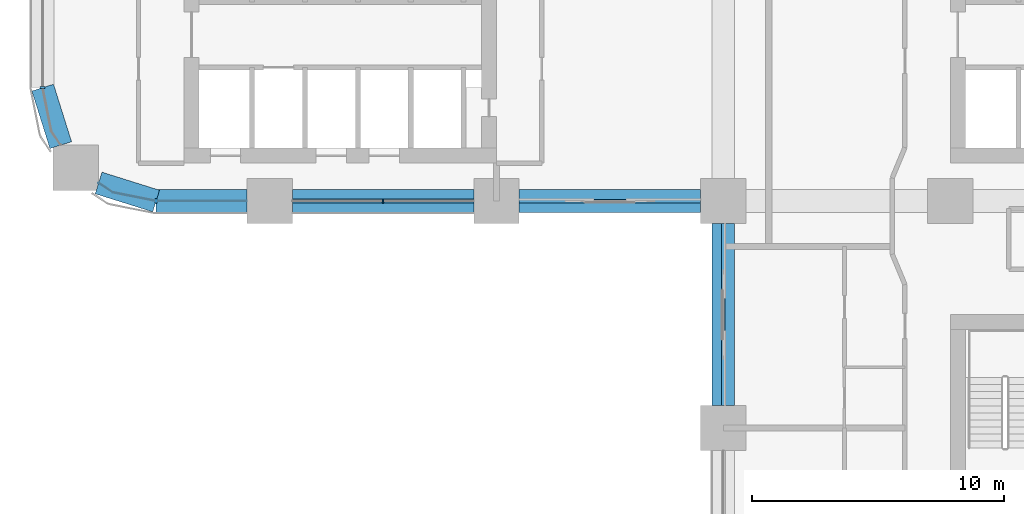
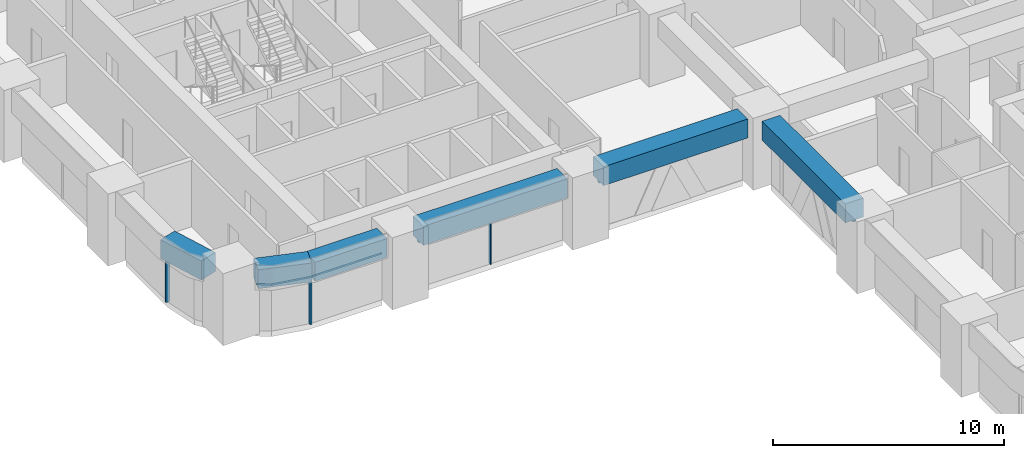
# One storey, part 3 of 24: 7 members, 6 beams, 5 elements without a shape of their own.
"""IFC4 building model written with IfcOpenShell, lengths in metres."""

from ifc_helpers import new_model, si_unit, direction, frame, origin, origin_2d, place, context, subcontext, project, spatial, polyline, rectangle, outline, extrude, material, material_profile, profile_set, type_object, element, aggregate, save


model = new_model("IFC4")

# Units and contexts
model_context = context("Model", 3, precision=1e-05, world=origin(), true_north=direction((0.0, 1.0)))
body_context = subcontext(model_context, "Body", "Model", "MODEL_VIEW")
ifc_project = project(units=[si_unit("LENGTHUNIT", "METRE"), si_unit("AREAUNIT", "SQUARE_METRE"), si_unit("VOLUMEUNIT", "CUBIC_METRE"), si_unit("PLANEANGLEUNIT", "RADIAN"), si_unit("MASSUNIT", "GRAM", prefix="KILO")], contexts=[model_context])

# Site, building, storey
site_placement = place(None, origin())
site = spatial("IfcSite", under=ifc_project, at=site_placement, CompositionType="ELEMENT")
building_placement = place(site_placement, origin())
building = spatial("IfcBuilding", under=site, at=building_placement, Name="Tessera Arch", CompositionType="ELEMENT")
storey_placement = place(building_placement, frame((0.0, 0.0, 112.0)))
storey = spatial("IfcBuildingStorey", under=building, at=storey_placement, Name="L26", CompositionType="ELEMENT", Elevation=112.0)

# Curtain wall, members
ifc_material_1 = material(Name="CW1 curtain wall")
curtain_wall_type_1 = type_object("IfcCurtainWallType", Name="CW1 curtain wall", PredefinedType="NOTDEFINED", material=ifc_material_1)
curtain_wall_1_placement = place(storey_placement, origin())
curtain_wall_1 = element("IfcCurtainWall", 1, at=curtain_wall_1_placement, inside=storey, type_object=curtain_wall_type_1, Name="CW1 curtain wall S27.0/1 L26", PredefinedType="NOTDEFINED")
ifc_material_2 = material(Name="Anodised aluminium pale metal", Category="aluminium")
ifc_material_profile_1 = material_profile(ifc_material_2, rectangle(XDim=0.159912109375, YDim=0.06005859375, at=origin_2d()), Name="AL 60x160")
ifc_profile_set_1 = profile_set([ifc_material_profile_1], Name="Anodised aluminium pale metal")
member_type_1 = type_object("IfcMemberType", Name="CW1 mullion", PredefinedType="MULLION", material=ifc_profile_set_1)
member_1_placement = place(storey_placement, frame((13.5, 27.0, 0.0), z_axis=(0.0, 0.0, 1.0), x_axis=(0.0, 1.0, 0.0)))
member_1 = element("IfcMember", 2, at=member_1_placement, type_object=member_type_1, Name="CW1 mullion S27.0/1 1", PredefinedType="MULLION", context=body_context, shape_type="SweptSolid", body=[
    extrude(rectangle(XDim=0.159912109375, YDim=0.06005859375, at=origin_2d()), origin(), (0.0, 0.0, 1.0), 2.39990234375),
])
ifc_material_3 = material(Name="Anodised aluminium pale metal", Category="aluminium")
ifc_material_profile_2 = material_profile(ifc_material_3, rectangle(XDim=0.159912109375, YDim=0.10009765625, at=origin_2d()), Name="AL 160x100")
ifc_profile_set_2 = profile_set([ifc_material_profile_2], Name="Anodised aluminium pale metal")
member_type_2 = type_object("IfcMemberType", Name="CW1 transom", PredefinedType="USERDEFINED", material=ifc_profile_set_2)
member_2_placement = place(storey_placement, frame((9.89990234375, 27.0, 2.449951171875), z_axis=(1.0, 0.0, 0.0), x_axis=(0.0, 1.0, 0.0)))
member_2 = element("IfcMember", 3, at=member_2_placement, type_object=member_type_2, Name="CW1 transom S27.0/1 1.1", ObjectType="TRANSOM", PredefinedType="USERDEFINED", context=body_context, shape_type="SweptSolid", body=[
    extrude(rectangle(XDim=0.159912109375, YDim=0.10009765625, at=origin_2d()), origin(), (0.0, 0.0, 1.0), 7.2001953125),
])
aggregate(curtain_wall_1, [member_1, member_2])

# Curtain wall, member
ifc_material_4 = material(Name="CW2 curtain wall")
curtain_wall_type_2 = type_object("IfcCurtainWallType", Name="CW2 curtain wall", PredefinedType="NOTDEFINED", material=ifc_material_4)
curtain_wall_2_placement = place(storey_placement, origin())
curtain_wall_2 = element("IfcCurtainWall", 4, at=curtain_wall_2_placement, inside=storey, type_object=curtain_wall_type_2, Name="CW2 curtain wall W0.27/2 L26", PredefinedType="NOTDEFINED")
ifc_material_5 = material(Name="Anodised aluminium pale metal", Category="aluminium")
ifc_material_profile_3 = material_profile(ifc_material_5, rectangle(XDim=0.199951171875, YDim=0.080078125, at=origin_2d()), Name="AL 80x200")
ifc_profile_set_3 = profile_set([ifc_material_profile_3], Name="Anodised aluminium pale metal")
member_type_3 = type_object("IfcMemberType", Name="CW2 mullion", PredefinedType="MULLION", material=ifc_profile_set_3)
member_3_placement = place(storey_placement, frame((0.0, 31.5, 0.0), z_axis=(0.0, 0.0, 1.0), x_axis=(1.0, 0.0, 0.0)))
member_3 = element("IfcMember", 5, at=member_3_placement, type_object=member_type_3, Name="CW2 mullion W0.27/2 1", PredefinedType="MULLION", context=body_context, shape_type="SweptSolid", body=[
    extrude(rectangle(XDim=0.199951171875, YDim=0.080078125, at=origin_2d()), origin(), (0.0, 0.0, 1.0), 2.39990234375),
])
aggregate(curtain_wall_2, [member_3])

# Curtain wall, members
curtain_wall_3_placement = place(storey_placement, origin())
curtain_wall_3 = element("IfcCurtainWall", 6, at=curtain_wall_3_placement, inside=storey, type_object=curtain_wall_type_2, Name="CW2 curtain wall S27.0/0 L26", PredefinedType="NOTDEFINED")
member_4_placement = place(storey_placement, frame((4.5, 27.0, 0.0), z_axis=(0.0, 0.0, 1.0), x_axis=(0.0, 1.0, 0.0)))
member_4 = element("IfcMember", 7, at=member_4_placement, type_object=member_type_3, Name="CW2 mullion S27.0/0 1", PredefinedType="MULLION", context=body_context, shape_type="SweptSolid", body=[
    extrude(rectangle(XDim=0.199951171875, YDim=0.080078125, at=origin_2d()), origin(), (0.0, 0.0, 1.0), 2.39990234375),
])
ifc_material_6 = material(Name="Anodised aluminium pale metal", Category="aluminium")
ifc_material_profile_4 = material_profile(ifc_material_6, rectangle(XDim=0.199951171875, YDim=0.10009765625, at=origin_2d()), Name="AL 200x100")
ifc_profile_set_4 = profile_set([ifc_material_profile_4], Name="Anodised aluminium pale metal")
member_type_4 = type_object("IfcMemberType", Name="CW2 transom", PredefinedType="USERDEFINED", material=ifc_profile_set_4)
member_5_placement = place(storey_placement, frame((0.0, 0.0, 2.39990234375)))
member_5 = element("IfcMember", 8, at=member_5_placement, type_object=member_type_4, Name="CW2 transom S27.0/0 1", ObjectType="TRANSOM", PredefinedType="USERDEFINED", context=body_context, shape_type="SweptSolid", body=[
    extrude(outline(polyline([(2.78173828125, 27.351806640625), (2.2236328125, 27.72509765625), (2.21240234375, 27.70849609375), (2.77392578125, 27.3330078125), (4.4990234375, 26.989990234375), (8.10009765625, 26.989990234375), (8.10009765625, 27.010009765625), (4.5009765625, 27.010009765625), (2.78173828125, 27.351806640625)])), origin(), (0.0, 0.0, 1.0), 0.10009765625),
])
aggregate(curtain_wall_3, [member_4, member_5])

# Curtain wall, member
ifc_material_7 = material(Name="CW3 curtain wall")
curtain_wall_type_3 = type_object("IfcCurtainWallType", Name="CW3 curtain wall", PredefinedType="NOTDEFINED", material=ifc_material_7)
curtain_wall_4_placement = place(storey_placement, origin())
curtain_wall_4 = element("IfcCurtainWall", 9, at=curtain_wall_4_placement, inside=storey, type_object=curtain_wall_type_3, Name="CW3 curtain wall S27.0/2 L26", PredefinedType="NOTDEFINED")
ifc_material_8 = material(Name="Anodised aluminium pale metal", Category="aluminium")
ifc_material_profile_5 = material_profile(ifc_material_8, rectangle(XDim=0.139892578125, YDim=0.10009765625, at=origin_2d()), Name="AL 140x100")
ifc_profile_set_5 = profile_set([ifc_material_profile_5], Name="Anodised aluminium pale metal")
member_type_5 = type_object("IfcMemberType", Name="CW3 transom", PredefinedType="USERDEFINED", material=ifc_profile_set_5)
member_6_placement = place(storey_placement, frame((18.89990234375, 27.0, 2.449951171875), z_axis=(1.0, 0.0, 0.0), x_axis=(0.0, 1.0, 0.0)))
member_6 = element("IfcMember", 10, at=member_6_placement, type_object=member_type_5, Name="CW3 transom S27.0/2 1.1", ObjectType="TRANSOM", PredefinedType="USERDEFINED", context=body_context, shape_type="SweptSolid", body=[
    extrude(rectangle(XDim=0.139892578125, YDim=0.10009765625, at=origin_2d()), origin(), (0.0, 0.0, 1.0), 7.2001953125),
])
aggregate(curtain_wall_4, [member_6])

curtain_wall_5_placement = place(storey_placement, origin())
curtain_wall_5 = element("IfcCurtainWall", 11, at=curtain_wall_5_placement, inside=storey, type_object=curtain_wall_type_3, Name="CW3 curtain wall W27.0/0 L26", PredefinedType="NOTDEFINED")
member_7_placement = place(storey_placement, frame((27.0, 26.10009765625, 2.449951171875), z_axis=(0.0, -1.0, 0.0), x_axis=(1.0, 0.0, 0.0)))
member_7 = element("IfcMember", 12, at=member_7_placement, type_object=member_type_5, Name="CW3 transom W27.0/0 1.1", ObjectType="TRANSOM", PredefinedType="USERDEFINED", context=body_context, shape_type="SweptSolid", body=[
    extrude(rectangle(XDim=0.139892578125, YDim=0.10009765625, at=origin_2d()), origin(), (0.0, 0.0, 1.0), 7.2001953125),
])
aggregate(curtain_wall_5, [member_7])

# Beams
ifc_material_9 = material(Name="Concrete C80/95", Category="concrete")
ifc_material_profile_6 = material_profile(ifc_material_9, rectangle(XDim=0.89990234375, YDim=1.0, at=origin_2d()), Name="RC spandrel beam 900 x 1000 Concrete C80/95")
ifc_profile_set_6 = profile_set([ifc_material_profile_6], Name="Concrete C80/95")
beam_type = type_object("IfcBeamType", Name="RC spandrel beam 900 x 1000 Concrete C80/95", PredefinedType="BEAM", material=ifc_profile_set_6)
for number, where, z_axis, x_axis, name in (
    (13, (0.0, 31.5, 3.0), (0.299675309057, -0.954041251279, 0.0), (0.954041251279, 0.299675309057, 0.0), "Spandrel beam L26 W0.27/2.2"),
    (14, (2.218017578125, 27.716796875, 3.0), (0.954041251279, -0.299675309057, 0.0), (0.299675309057, 0.954041251279, 0.0), "Spandrel beam L26 S27.0/0.1"),
):
    element("IfcBeam", number, at=place(storey_placement, frame(where, z_axis=z_axis, x_axis=x_axis)), inside=storey, type_object=beam_type, Name=name, PredefinedType="BEAM", context=body_context, shape_type="SweptSolid", body=[
        extrude(rectangle(XDim=0.89990234375, YDim=1.0, at=origin_2d()), origin(), (0.0, 0.0, 1.0), 2.391845703125),
    ])
beam_placement = place(storey_placement, frame((4.5, 27.0, 3.0), z_axis=(1.0, 0.0, 0.0), x_axis=(0.0, 1.0, 0.0)))
element("IfcBeam", 15, at=beam_placement, inside=storey, type_object=beam_type, Name="Spandrel beam L26 S27.0/0.2", PredefinedType="BEAM", context=body_context, shape_type="SweptSolid", body=[
    extrude(rectangle(XDim=0.89990234375, YDim=1.0, at=origin_2d()), origin(), (0.0, 0.0, 1.0), 3.60009765625),
])
for number, where, z_axis, x_axis, name in (
    (16, (9.89990234375, 27.0, 3.0), (1.0, 0.0, 0.0), (0.0, 1.0, 0.0), "Spandrel beam L26 S27.0/1"),
    (17, (18.89990234375, 27.0, 3.0), (1.0, 0.0, 0.0), (0.0, 1.0, 0.0), "Spandrel beam L26 S27.0/2"),
    (18, (27.0, 26.10009765625, 3.0), (0.0, -1.0, 0.0), (1.0, 0.0, 0.0), "Spandrel beam L26 W27.0/0"),
):
    element("IfcBeam", number, at=place(storey_placement, frame(where, z_axis=z_axis, x_axis=x_axis)), inside=storey, type_object=beam_type, Name=name, PredefinedType="BEAM", context=body_context, shape_type="SweptSolid", body=[
        extrude(rectangle(XDim=0.89990234375, YDim=1.0, at=origin_2d()), origin(), (0.0, 0.0, 1.0), 7.2001953125),
    ])

save(model, "model.ifc")
